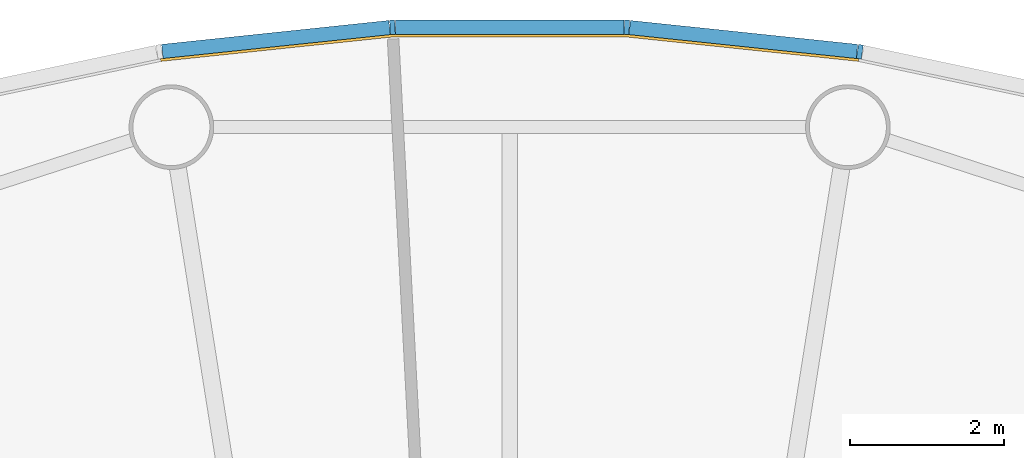
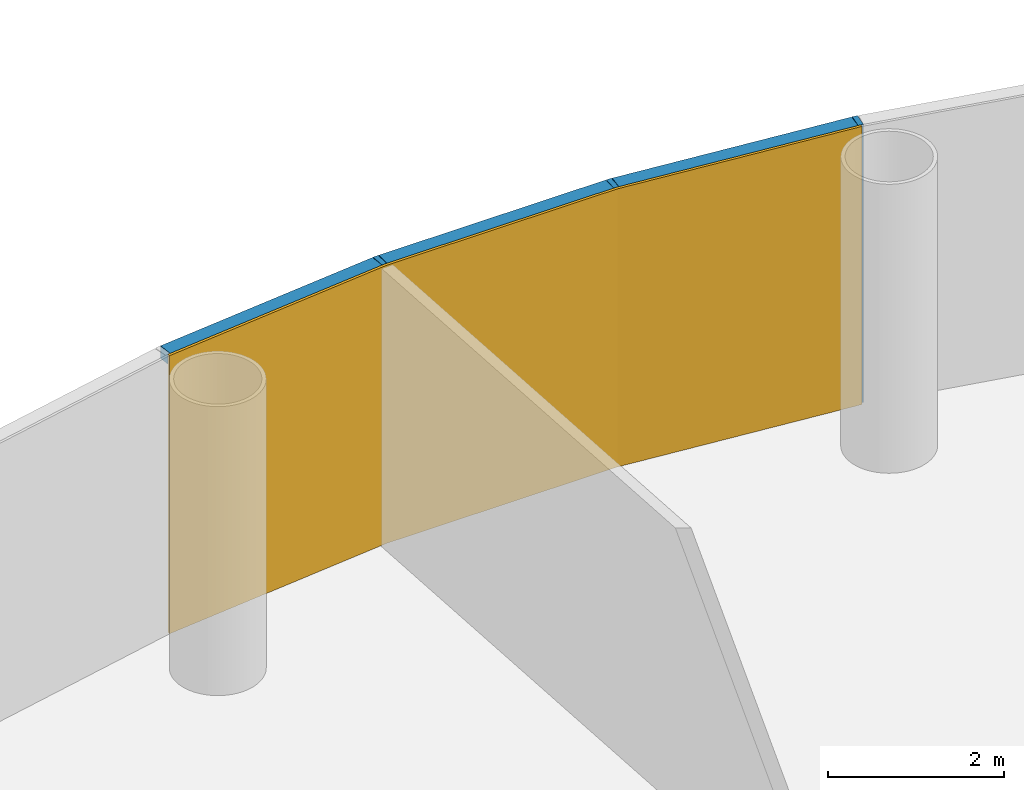
# One storey, part 11 of 13: 6 members, 1 curtain wall.
"""IFC4 building model written with IfcOpenShell, lengths in metres."""

from ifc_helpers import new_model, si_unit, direction, frame, origin, origin_2d, place, context, subcontext, project, spatial, polyline, rectangle, outline, extrude, material, layer, layer_set, material_profile, profile_set, type_object, element, aggregate, save


model = new_model("IFC4")

# Units and contexts
model_context = context("Model", 3, precision=1e-05, world=origin(), true_north=direction((0.0, 1.0)))
body_context = subcontext(model_context, "Body", "Model", "MODEL_VIEW")
ifc_project = project(units=[si_unit("LENGTHUNIT", "METRE"), si_unit("AREAUNIT", "SQUARE_METRE"), si_unit("VOLUMEUNIT", "CUBIC_METRE"), si_unit("PLANEANGLEUNIT", "RADIAN"), si_unit("MASSUNIT", "GRAM", prefix="KILO")], contexts=[model_context])

# Member
ifc_material_1 = material(Name="Anodised aluminium", Category="aluminium")
ifc_material_profile_1 = material_profile(ifc_material_1, rectangle(XDim=0.06494140625, YDim=0.18505859375, at=origin_2d()), Name="Mullion 65 x 185 mm anodised aluminium")
ifc_profile_set_1 = profile_set([ifc_material_profile_1], Name="Anodised aluminium")
member_type_1 = type_object("IfcMemberType", Name="Mullion 65 x 185 mm anodised aluminium", PredefinedType="MULLION", material=ifc_profile_set_1)
site_placement = place(None, origin())
building_placement = place(site_placement, origin())
storey_placement = place(building_placement, frame((0.0, 0.0, 188.0)))
member_1_placement = place(storey_placement, frame((94.551025390625, 108.734375, 0.0), z_axis=(0.0, 0.0, 1.0), x_axis=(-0.987688340595, 0.15643446504, 0.0)))
member_1 = element("IfcMember", 1, at=member_1_placement, type_object=member_type_1, Name="MULLION L43-12", PredefinedType="MULLION", context=body_context, shape_type="SweptSolid", body=[
    extrude(rectangle(XDim=0.06494140625, YDim=0.18505859375, at=origin_2d()), origin(), (0.0, 0.0, 1.0), 3.85009765625),
])

member_2_placement = place(storey_placement, frame((91.522705078125, 109.052734375, 0.0), z_axis=(0.0, 0.0, 1.0), x_axis=(-0.998629534755, 0.052335956243, 0.0)))
member_2 = element("IfcMember", 2, at=member_2_placement, type_object=member_type_1, Name="MULLION L43-13", PredefinedType="MULLION", context=body_context, shape_type="SweptSolid", body=[
    extrude(rectangle(XDim=0.06494140625, YDim=0.18505859375, at=origin_2d()), origin(), (0.0, 0.0, 1.0), 3.85009765625),
])

member_3_placement = place(storey_placement, frame((88.477294921875, 109.052734375, 0.0), z_axis=(0.0, 0.0, 1.0), x_axis=(-0.998629534755, -0.052335956243, 0.0)))
member_3 = element("IfcMember", 3, at=member_3_placement, type_object=member_type_1, Name="MULLION L43-14", PredefinedType="MULLION", context=body_context, shape_type="SweptSolid", body=[
    extrude(rectangle(XDim=0.06494140625, YDim=0.18505859375, at=origin_2d()), origin(), (0.0, 0.0, 1.0), 3.85009765625),
])

ifc_material_2 = material(Name="Anodised aluminium", Category="aluminium")
ifc_material_profile_2 = material_profile(ifc_material_2, rectangle(XDim=0.18505859375, YDim=0.175048828125, at=origin_2d()), Name="Transom 175 x 185 mm anodised aluminium")
ifc_profile_set_2 = profile_set([ifc_material_profile_2], Name="Anodised aluminium")
member_type_2 = type_object("IfcMemberType", Name="Transom 175 x 185 mm anodised aluminium", PredefinedType="USERDEFINED", material=ifc_profile_set_2)
member_4_placement = place(storey_placement, frame((94.513916015625, 108.73828125, 3.762451171875), z_axis=(-0.994519855197, 0.104547872381, 0.0), x_axis=(-0.104547872381, -0.994519855197, 0.0)))
member_4 = element("IfcMember", 4, at=member_4_placement, type_object=member_type_2, Name="TRANSOM L43-12", ObjectType="TRANSOM", PredefinedType="USERDEFINED", context=body_context, shape_type="SweptSolid", body=[
    extrude(rectangle(XDim=0.18505859375, YDim=0.175048828125, at=origin_2d()), origin(), (0.0, 0.0, 1.0), 2.970458984375),
])

member_5_placement = place(storey_placement, frame((91.4853515625, 109.052734375, 3.762451171875), z_axis=(-1.0, 0.0, 0.0), x_axis=(0.0, -1.0, 0.0)))
member_5 = element("IfcMember", 5, at=member_5_placement, type_object=member_type_2, Name="TRANSOM L43-13", ObjectType="TRANSOM", PredefinedType="USERDEFINED", context=body_context, shape_type="SweptSolid", body=[
    extrude(rectangle(XDim=0.18505859375, YDim=0.175048828125, at=origin_2d()), origin(), (0.0, 0.0, 1.0), 2.970703125),
])

member_6_placement = place(storey_placement, frame((88.440185546875, 109.048828125, 3.762451171875), z_axis=(-0.994519855197, -0.104547872381, 0.0), x_axis=(0.104547872381, -0.994519855197, 0.0)))
member_6 = element("IfcMember", 6, at=member_6_placement, type_object=member_type_2, Name="TRANSOM L43-14", ObjectType="TRANSOM", PredefinedType="USERDEFINED", context=body_context, shape_type="SweptSolid", body=[
    extrude(rectangle(XDim=0.18505859375, YDim=0.175048828125, at=origin_2d()), origin(), (0.0, 0.0, 1.0), 2.970458984375),
])

# Site, building, storey
site = spatial("IfcSite", under=ifc_project, at=site_placement, CompositionType="ELEMENT")
building = spatial("IfcBuilding", under=site, at=building_placement, Name="Entoto Ring Tower", CompositionType="ELEMENT")
storey = spatial("IfcBuildingStorey", under=building, at=storey_placement, Name="L43", CompositionType="ELEMENT", Elevation=188.0)

# Curtain wall
ifc_material_3 = material(Name="Clear low-iron glass", Category="glass")
ifc_layer = layer(ifc_material_3, 0.033935546875)
ifc_layer_set = layer_set([ifc_layer], Name="Clear low-iron glass")
curtain_wall_type = type_object("IfcCurtainWallType", Name="Curtain wall system CW3 glazing 34 mm", PredefinedType="NOTDEFINED", material=ifc_layer_set)
curtain_wall_placement = place(storey_placement, origin())
curtain_wall = element("IfcCurtainWall", 7, at=curtain_wall_placement, inside=storey, type_object=curtain_wall_type, Name="CW3 L43-05", PredefinedType="NOTDEFINED", context=body_context, shape_type="SweptSolid", body=[
    extrude(outline(polyline([(94.53662109375, 108.64306640625), (91.517822265625, 108.960205078125), (88.482177734375, 108.960205078125), (85.46337890625, 108.64306640625), (85.46875, 108.609375), (88.484130859375, 108.92626953125), (91.515869140625, 108.92626953125), (94.53125, 108.609375), (94.53662109375, 108.64306640625)])), origin(), (0.0, 0.0, 1.0), 3.85009765625),
])

aggregate(curtain_wall, [member_1, member_2, member_3, member_4, member_5, member_6])

save(model, "model.ifc")
